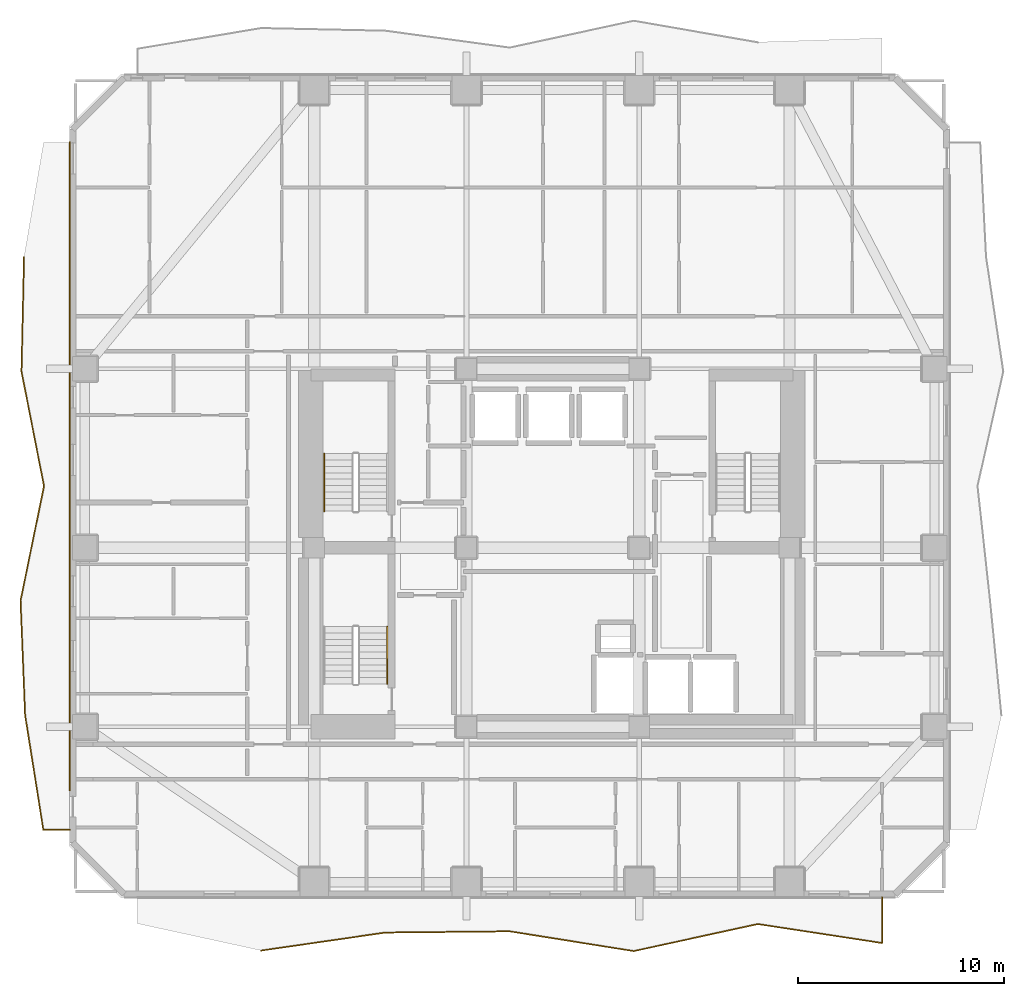
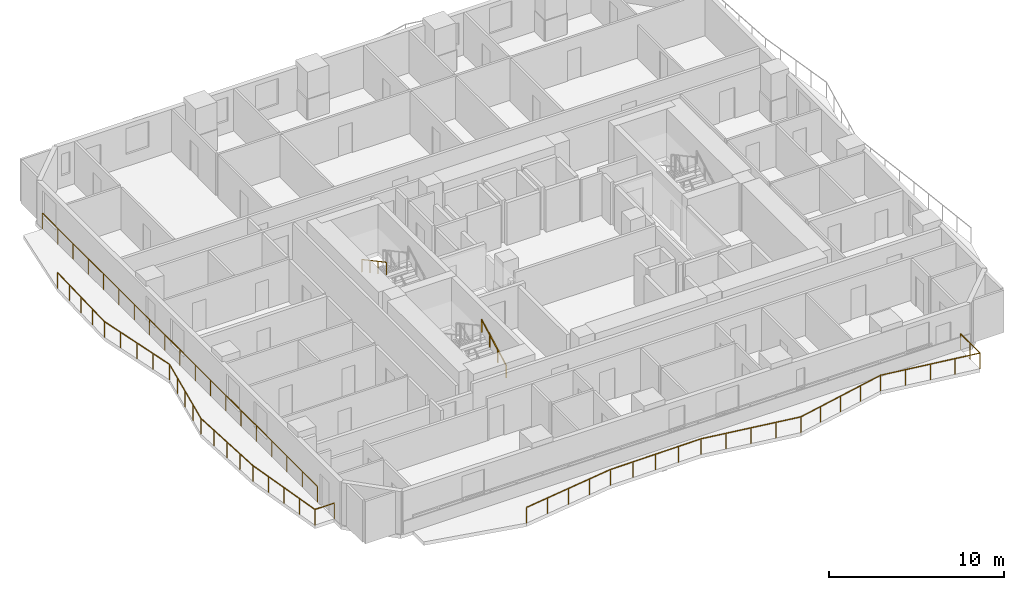
# One storey, part 10 of 12: 5 railings.
"""IFC4 building model written with IfcOpenShell, lengths in metres."""

from ifc_helpers import new_model, si_unit, direction, frame, origin, origin_2d, place, context, subcontext, project, spatial, rectangle, extrude, material, type_object, element, save


model = new_model("IFC4")

# Units and contexts
model_context = context("Model", 3, precision=1e-05, world=origin(), true_north=direction((0.0, 1.0)))
body_context = subcontext(model_context, "Body", "Model", "MODEL_VIEW")
ifc_project = project(units=[si_unit("LENGTHUNIT", "METRE"), si_unit("AREAUNIT", "SQUARE_METRE"), si_unit("VOLUMEUNIT", "CUBIC_METRE"), si_unit("PLANEANGLEUNIT", "RADIAN"), si_unit("MASSUNIT", "GRAM", prefix="KILO")], contexts=[model_context])

# Site, building, storey
site_placement = place(None, origin())
site = spatial("IfcSite", under=ifc_project, at=site_placement, CompositionType="ELEMENT")
building_placement = place(site_placement, origin())
building = spatial("IfcBuilding", under=site, at=building_placement, Name="Solanera Arch Residences", CompositionType="ELEMENT")
storey_placement = place(building_placement, frame((0.0, 0.0, 85.080078125)))
storey = spatial("IfcBuildingStorey", under=building, at=storey_placement, Name="L24", CompositionType="ELEMENT", Elevation=85.080078125)

# Railings
ifc_material_1 = material(Name="Steel S355 (ASTM A992 / A572 Grade 50)", Category="steel")
railing_type_1 = type_object("IfcRailingType", Name="Balustrade Railing BL-1100", PredefinedType="BALUSTRADE", material=ifc_material_1)
railing_1_placement = place(storey_placement, frame((10.8330078125, 11.123046875, 0.0)))
element("IfcRailing", 1, at=railing_1_placement, inside=storey, type_object=railing_type_1, Name="L24 S Balcony Balustrade 1", PredefinedType="BALUSTRADE", context=body_context, shape_type="SweptSolid", body=[
    extrude(rectangle(XDim=0.048095703125, YDim=0.048095703125, at=origin_2d()), frame((0.0, 0.0, 1.09619140625), z_axis=(0.989671305222, 0.143355179959, 0.0), x_axis=(-0.143355179959, 0.989671305222, 0.0)), (0.0, 0.0, 1.0), 6.096923828125),
    extrude(rectangle(XDim=0.048095703125, YDim=0.048095703125, at=origin_2d()), frame((6.033935546875, 0.8740234375, 1.09619140625), z_axis=(0.999950853849, 0.00991412566, 0.0), x_axis=(-0.00991412566, 0.999950853849, 0.0)), (0.0, 0.0, 1.0), 6.033203125),
    extrude(rectangle(XDim=0.048095703125, YDim=0.048095703125, at=origin_2d()), frame((12.06689453125, 0.933837890625, 1.09619140625), z_axis=(0.987576923809, -0.157136308855, 0.0), x_axis=(0.157136308855, 0.987576923809, 0.0)), (0.0, 0.0, 1.0), 6.109130859375),
    extrude(rectangle(XDim=0.048095703125, YDim=0.048095703125, at=origin_2d()), frame((18.10009765625, -0.026123046875, 1.09619140625), z_axis=(0.977059901719, 0.212964664801, 0.0), x_axis=(-0.212964664801, 0.977059901719, 0.0)), (0.0, 0.0, 1.0), 6.175537109375),
    extrude(rectangle(XDim=0.048095703125, YDim=0.048095703125, at=origin_2d()), frame((24.134033203125, 1.2890625, 1.09619140625), z_axis=(0.988471832469, -0.1514048758, 0.0), x_axis=(0.1514048758, 0.988471832469, 0.0)), (0.0, 0.0, 1.0), 6.103271484375),
    extrude(rectangle(XDim=0.048095703125, YDim=0.048095703125, at=origin_2d()), frame((30.1669921875, 0.364990234375, 1.09619140625), z_axis=(0.0, 1.0, 0.0), x_axis=(-1.0, 0.0, 0.0)), (0.0, 0.0, 1.0), 2.23193359375),
    extrude(rectangle(XDim=0.0419921875, YDim=0.0419921875, at=origin_2d()), origin(), (0.0, 0.0, 1.0), 1.072021484375),
    extrude(rectangle(XDim=0.0419921875, YDim=0.0419921875, at=origin_2d()), frame((1.508544921875, 0.218505859375, 0.0)), (0.0, 0.0, 1.0), 1.072021484375),
    extrude(rectangle(XDim=0.0419921875, YDim=0.0419921875, at=origin_2d()), frame((3.01708984375, 0.43701171875, 0.0)), (0.0, 0.0, 1.0), 1.072021484375),
    extrude(rectangle(XDim=0.0419921875, YDim=0.0419921875, at=origin_2d()), frame((4.525390625, 0.655517578125, 0.0)), (0.0, 0.0, 1.0), 1.072021484375),
    extrude(rectangle(XDim=0.0419921875, YDim=0.0419921875, at=origin_2d()), frame((6.033935546875, 0.8740234375, 0.0)), (0.0, 0.0, 1.0), 1.072021484375),
    extrude(rectangle(XDim=0.0419921875, YDim=0.0419921875, at=origin_2d()), frame((7.542236328125, 0.888916015625, 0.0)), (0.0, 0.0, 1.0), 1.072021484375),
    extrude(rectangle(XDim=0.0419921875, YDim=0.0419921875, at=origin_2d()), frame((9.05029296875, 0.90380859375, 0.0)), (0.0, 0.0, 1.0), 1.072021484375),
    extrude(rectangle(XDim=0.0419921875, YDim=0.0419921875, at=origin_2d()), frame((10.55859375, 0.9189453125, 0.0)), (0.0, 0.0, 1.0), 1.072021484375),
    extrude(rectangle(XDim=0.0419921875, YDim=0.0419921875, at=origin_2d()), frame((12.06689453125, 0.933837890625, 0.0)), (0.0, 0.0, 1.0), 1.072021484375),
    extrude(rectangle(XDim=0.0419921875, YDim=0.0419921875, at=origin_2d()), frame((13.5751953125, 0.69384765625, 0.0)), (0.0, 0.0, 1.0), 1.072021484375),
    extrude(rectangle(XDim=0.0419921875, YDim=0.0419921875, at=origin_2d()), frame((15.08349609375, 0.453857421875, 0.0)), (0.0, 0.0, 1.0), 1.072021484375),
    extrude(rectangle(XDim=0.0419921875, YDim=0.0419921875, at=origin_2d()), frame((16.591796875, 0.2138671875, 0.0)), (0.0, 0.0, 1.0), 1.072021484375),
    extrude(rectangle(XDim=0.0419921875, YDim=0.0419921875, at=origin_2d()), frame((18.10009765625, -0.026123046875, 0.0)), (0.0, 0.0, 1.0), 1.072021484375),
    extrude(rectangle(XDim=0.0419921875, YDim=0.0419921875, at=origin_2d()), frame((19.608642578125, 0.302734375, 0.0)), (0.0, 0.0, 1.0), 1.072021484375),
    extrude(rectangle(XDim=0.0419921875, YDim=0.0419921875, at=origin_2d()), frame((21.1171875, 0.63134765625, 0.0)), (0.0, 0.0, 1.0), 1.072021484375),
    extrude(rectangle(XDim=0.0419921875, YDim=0.0419921875, at=origin_2d()), frame((22.62548828125, 0.960205078125, 0.0)), (0.0, 0.0, 1.0), 1.072021484375),
    extrude(rectangle(XDim=0.0419921875, YDim=0.0419921875, at=origin_2d()), frame((24.134033203125, 1.2890625, 0.0)), (0.0, 0.0, 1.0), 1.072021484375),
    extrude(rectangle(XDim=0.0419921875, YDim=0.0419921875, at=origin_2d()), frame((25.642333984375, 1.05810546875, 0.0)), (0.0, 0.0, 1.0), 1.072021484375),
    extrude(rectangle(XDim=0.0419921875, YDim=0.0419921875, at=origin_2d()), frame((27.150390625, 0.8271484375, 0.0)), (0.0, 0.0, 1.0), 1.072021484375),
    extrude(rectangle(XDim=0.0419921875, YDim=0.0419921875, at=origin_2d()), frame((28.65869140625, 0.595947265625, 0.0)), (0.0, 0.0, 1.0), 1.072021484375),
    extrude(rectangle(XDim=0.0419921875, YDim=0.0419921875, at=origin_2d()), frame((30.1669921875, 0.364990234375, 0.0)), (0.0, 0.0, 1.0), 1.072021484375),
    extrude(rectangle(XDim=0.0419921875, YDim=0.0419921875, at=origin_2d()), frame((30.1669921875, 1.48095703125, 0.0)), (0.0, 0.0, 1.0), 1.072021484375),
    extrude(rectangle(XDim=0.0419921875, YDim=0.0419921875, at=origin_2d()), frame((30.1669921875, 2.596923828125, 0.0)), (0.0, 0.0, 1.0), 1.072021484375),
])
railing_2_placement = place(storey_placement, frame((-0.702880859375, 44.8330078125, 0.0)))
element("IfcRailing", 2, at=railing_2_placement, inside=storey, type_object=railing_type_1, Name="L24 W Balcony Balustrade 1", PredefinedType="BALUSTRADE", context=body_context, shape_type="SweptSolid", body=[
    extrude(rectangle(XDim=0.048095703125, YDim=0.048095703125, at=origin_2d()), frame((0.0, 0.0, 1.09619140625), z_axis=(-0.022277126576, -0.999751834023, 0.0), x_axis=(0.999751834023, -0.022277126576, 0.0)), (0.0, 0.0, 1.0), 5.5673828125),
    extrude(rectangle(XDim=0.048095703125, YDim=0.048095703125, at=origin_2d()), frame((-0.1240234375, -5.56591796875, 1.09619140625), z_axis=(0.193152924355, -0.981168664305, 0.0), x_axis=(0.981168664305, 0.193152924355, 0.0)), (0.0, 0.0, 1.0), 5.674072265625),
    extrude(rectangle(XDim=0.048095703125, YDim=0.048095703125, at=origin_2d()), frame((0.971923828125, -11.133056640625, 1.09619140625), z_axis=(-0.200806715962, -0.979630880906, 0.0), x_axis=(0.979630880906, -0.200806715962, 0.0)), (0.0, 0.0, 1.0), 5.6826171875),
    extrude(rectangle(XDim=0.048095703125, YDim=0.048095703125, at=origin_2d()), frame((-0.169189453125, -16.699951171875, 1.09619140625), z_axis=(0.039707245443, -0.99921135635, 0.0), x_axis=(0.99921135635, 0.039707245443, 0.0)), (0.0, 0.0, 1.0), 5.570556640625),
    extrude(rectangle(XDim=0.048095703125, YDim=0.048095703125, at=origin_2d()), frame((0.052001953125, -22.26611328125, 1.09619140625), z_axis=(0.157174570676, -0.987570835096, 0.0), x_axis=(0.987570835096, 0.157174570676, 0.0)), (0.0, 0.0, 1.0), 5.636962890625),
    extrude(rectangle(XDim=0.048095703125, YDim=0.048095703125, at=origin_2d()), frame((0.93798828125, -27.8330078125, 1.09619140625), z_axis=(1.0, 0.0, 0.0), x_axis=(0.0, 1.0, 0.0)), (0.0, 0.0, 1.0), 1.284912109375),
    extrude(rectangle(XDim=0.0419921875, YDim=0.0419921875, at=origin_2d()), origin(), (0.0, 0.0, 1.0), 1.072021484375),
    extrude(rectangle(XDim=0.0419921875, YDim=0.0419921875, at=origin_2d()), frame((-0.031005859375, -1.3916015625, 0.0)), (0.0, 0.0, 1.0), 1.072021484375),
    extrude(rectangle(XDim=0.0419921875, YDim=0.0419921875, at=origin_2d()), frame((-0.06201171875, -2.782958984375, 0.0)), (0.0, 0.0, 1.0), 1.072021484375),
    extrude(rectangle(XDim=0.0419921875, YDim=0.0419921875, at=origin_2d()), frame((-0.093017578125, -4.17431640625, 0.0)), (0.0, 0.0, 1.0), 1.072021484375),
    extrude(rectangle(XDim=0.0419921875, YDim=0.0419921875, at=origin_2d()), frame((-0.1240234375, -5.56591796875, 0.0)), (0.0, 0.0, 1.0), 1.072021484375),
    extrude(rectangle(XDim=0.0419921875, YDim=0.0419921875, at=origin_2d()), frame((0.14990234375, -6.957763671875, 0.0)), (0.0, 0.0, 1.0), 1.072021484375),
    extrude(rectangle(XDim=0.0419921875, YDim=0.0419921875, at=origin_2d()), frame((0.423828125, -8.349609375, 0.0)), (0.0, 0.0, 1.0), 1.072021484375),
    extrude(rectangle(XDim=0.0419921875, YDim=0.0419921875, at=origin_2d()), frame((0.697998046875, -9.7412109375, 0.0)), (0.0, 0.0, 1.0), 1.072021484375),
    extrude(rectangle(XDim=0.0419921875, YDim=0.0419921875, at=origin_2d()), frame((0.971923828125, -11.133056640625, 0.0)), (0.0, 0.0, 1.0), 1.072021484375),
    extrude(rectangle(XDim=0.0419921875, YDim=0.0419921875, at=origin_2d()), frame((0.6865234375, -12.52490234375, 0.0)), (0.0, 0.0, 1.0), 1.072021484375),
    extrude(rectangle(XDim=0.0419921875, YDim=0.0419921875, at=origin_2d()), frame((0.4013671875, -13.91650390625, 0.0)), (0.0, 0.0, 1.0), 1.072021484375),
    extrude(rectangle(XDim=0.0419921875, YDim=0.0419921875, at=origin_2d()), frame((0.1162109375, -15.30810546875, 0.0)), (0.0, 0.0, 1.0), 1.072021484375),
    extrude(rectangle(XDim=0.0419921875, YDim=0.0419921875, at=origin_2d()), frame((-0.169189453125, -16.699951171875, 0.0)), (0.0, 0.0, 1.0), 1.072021484375),
    extrude(rectangle(XDim=0.0419921875, YDim=0.0419921875, at=origin_2d()), frame((-0.11376953125, -18.091552734375, 0.0)), (0.0, 0.0, 1.0), 1.072021484375),
    extrude(rectangle(XDim=0.0419921875, YDim=0.0419921875, at=origin_2d()), frame((-0.05859375, -19.48291015625, 0.0)), (0.0, 0.0, 1.0), 1.072021484375),
    extrude(rectangle(XDim=0.0419921875, YDim=0.0419921875, at=origin_2d()), frame((-0.00341796875, -20.87451171875, 0.0)), (0.0, 0.0, 1.0), 1.072021484375),
    extrude(rectangle(XDim=0.0419921875, YDim=0.0419921875, at=origin_2d()), frame((0.052001953125, -22.26611328125, 0.0)), (0.0, 0.0, 1.0), 1.072021484375),
    extrude(rectangle(XDim=0.0419921875, YDim=0.0419921875, at=origin_2d()), frame((0.2734375, -23.65771484375, 0.0)), (0.0, 0.0, 1.0), 1.072021484375),
    extrude(rectangle(XDim=0.0419921875, YDim=0.0419921875, at=origin_2d()), frame((0.4951171875, -25.049560546875, 0.0)), (0.0, 0.0, 1.0), 1.072021484375),
    extrude(rectangle(XDim=0.0419921875, YDim=0.0419921875, at=origin_2d()), frame((0.716552734375, -26.44140625, 0.0)), (0.0, 0.0, 1.0), 1.072021484375),
    extrude(rectangle(XDim=0.0419921875, YDim=0.0419921875, at=origin_2d()), frame((0.93798828125, -27.8330078125, 0.0)), (0.0, 0.0, 1.0), 1.072021484375),
    extrude(rectangle(XDim=0.0419921875, YDim=0.0419921875, at=origin_2d()), frame((2.222900390625, -27.8330078125, 0.0)), (0.0, 0.0, 1.0), 1.072021484375),
])
railing_3_placement = place(storey_placement, frame((1.52001953125, 18.916015625, 0.0)))
element("IfcRailing", 3, at=railing_3_placement, inside=storey, type_object=railing_type_1, Name="L24 W Balcony Balustrade 2", PredefinedType="BALUSTRADE", context=body_context, shape_type="SweptSolid", body=[
    extrude(rectangle(XDim=0.048095703125, YDim=0.048095703125, at=origin_2d()), frame((0.0, 0.0, 1.09619140625), z_axis=(0.0, 1.0, 0.0), x_axis=(-1.0, 0.0, 0.0)), (0.0, 0.0, 1.0), 31.48388671875),
    extrude(rectangle(XDim=0.0419921875, YDim=0.0419921875, at=origin_2d()), origin(), (0.0, 0.0, 1.0), 1.072021484375),
    extrude(rectangle(XDim=0.0419921875, YDim=0.0419921875, at=origin_2d()), frame((0.0, 1.7490234375, 0.0)), (0.0, 0.0, 1.0), 1.072021484375),
    extrude(rectangle(XDim=0.0419921875, YDim=0.0419921875, at=origin_2d()), frame((0.0, 3.498291015625, 0.0)), (0.0, 0.0, 1.0), 1.072021484375),
    extrude(rectangle(XDim=0.0419921875, YDim=0.0419921875, at=origin_2d()), frame((0.0, 5.247314453125, 0.0)), (0.0, 0.0, 1.0), 1.072021484375),
    extrude(rectangle(XDim=0.0419921875, YDim=0.0419921875, at=origin_2d()), frame((0.0, 6.996337890625, 0.0)), (0.0, 0.0, 1.0), 1.072021484375),
    extrude(rectangle(XDim=0.0419921875, YDim=0.0419921875, at=origin_2d()), frame((0.0, 8.74560546875, 0.0)), (0.0, 0.0, 1.0), 1.072021484375),
    extrude(rectangle(XDim=0.0419921875, YDim=0.0419921875, at=origin_2d()), frame((0.0, 10.49462890625, 0.0)), (0.0, 0.0, 1.0), 1.072021484375),
    extrude(rectangle(XDim=0.0419921875, YDim=0.0419921875, at=origin_2d()), frame((0.0, 12.24365234375, 0.0)), (0.0, 0.0, 1.0), 1.072021484375),
    extrude(rectangle(XDim=0.0419921875, YDim=0.0419921875, at=origin_2d()), frame((0.0, 13.992919921875, 0.0)), (0.0, 0.0, 1.0), 1.072021484375),
    extrude(rectangle(XDim=0.0419921875, YDim=0.0419921875, at=origin_2d()), frame((0.0, 15.741943359375, 0.0)), (0.0, 0.0, 1.0), 1.072021484375),
    extrude(rectangle(XDim=0.0419921875, YDim=0.0419921875, at=origin_2d()), frame((0.0, 17.490966796875, 0.0)), (0.0, 0.0, 1.0), 1.072021484375),
    extrude(rectangle(XDim=0.0419921875, YDim=0.0419921875, at=origin_2d()), frame((0.0, 19.240234375, 0.0)), (0.0, 0.0, 1.0), 1.072021484375),
    extrude(rectangle(XDim=0.0419921875, YDim=0.0419921875, at=origin_2d()), frame((0.0, 20.9892578125, 0.0)), (0.0, 0.0, 1.0), 1.072021484375),
    extrude(rectangle(XDim=0.0419921875, YDim=0.0419921875, at=origin_2d()), frame((0.0, 22.73828125, 0.0)), (0.0, 0.0, 1.0), 1.072021484375),
    extrude(rectangle(XDim=0.0419921875, YDim=0.0419921875, at=origin_2d()), frame((0.0, 24.487548828125, 0.0)), (0.0, 0.0, 1.0), 1.072021484375),
    extrude(rectangle(XDim=0.0419921875, YDim=0.0419921875, at=origin_2d()), frame((0.0, 26.236572265625, 0.0)), (0.0, 0.0, 1.0), 1.072021484375),
    extrude(rectangle(XDim=0.0419921875, YDim=0.0419921875, at=origin_2d()), frame((0.0, 27.985595703125, 0.0)), (0.0, 0.0, 1.0), 1.072021484375),
    extrude(rectangle(XDim=0.0419921875, YDim=0.0419921875, at=origin_2d()), frame((0.0, 29.73486328125, 0.0)), (0.0, 0.0, 1.0), 1.072021484375),
    extrude(rectangle(XDim=0.0419921875, YDim=0.0419921875, at=origin_2d()), frame((0.0, 31.48388671875, 0.0)), (0.0, 0.0, 1.0), 1.072021484375),
])
ifc_material_2 = material(Name="Steel S355 (ASTM A992 / A572 Grade 50)", Category="steel")
railing_type_2 = type_object("IfcRailingType", Name="Stair Wall Handrail HR-920", PredefinedType="HANDRAIL", material=ifc_material_2)
railing_4_placement = place(storey_placement, frame((13.889892578125, 35.27001953125, 1.825927734375)))
element("IfcRailing", 4, at=railing_4_placement, inside=storey, type_object=railing_type_2, Name="L24 ST-T1 stair handrail 2", PredefinedType="HANDRAIL", context=body_context, shape_type="SweptSolid", body=[
    extrude(rectangle(XDim=0.048095703125, YDim=0.048095703125, at=origin_2d()), frame((0.0, 0.0, 0.8759765625), z_axis=(0.0, -0.881580869306, 0.472033018838), x_axis=(1.0, 0.0, 0.0)), (0.0, 0.0, 1.0), 3.164794921875),
    extrude(rectangle(XDim=0.0419921875, YDim=0.0419921875, at=origin_2d()), origin(), (0.0, 0.0, 1.0), 0.851806640625),
    extrude(rectangle(XDim=0.0419921875, YDim=0.0419921875, at=origin_2d()), frame((0.0, -0.929931640625, 0.498046875)), (0.0, 0.0, 1.0), 0.851806640625),
    extrude(rectangle(XDim=0.0419921875, YDim=0.0419921875, at=origin_2d()), frame((0.0, -1.860107421875, 0.995849609375)), (0.0, 0.0, 1.0), 0.851806640625),
    extrude(rectangle(XDim=0.0419921875, YDim=0.0419921875, at=origin_2d()), frame((0.0, -2.7900390625, 1.493896484375)), (0.0, 0.0, 1.0), 0.851806640625),
])
railing_5_placement = place(storey_placement, frame((16.949951171875, 24.080078125, 0.166015625)))
element("IfcRailing", 5, at=railing_5_placement, inside=storey, type_object=railing_type_2, Name="L24 ST-T3 stair handrail 1", PredefinedType="HANDRAIL", context=body_context, shape_type="SweptSolid", body=[
    extrude(rectangle(XDim=0.048095703125, YDim=0.048095703125, at=origin_2d()), frame((0.0, 0.0, 0.8759765625), z_axis=(0.0, 0.881580869306, 0.472033018838), x_axis=(-1.0, 0.0, 0.0)), (0.0, 0.0, 1.0), 3.164794921875),
    extrude(rectangle(XDim=0.0419921875, YDim=0.0419921875, at=origin_2d()), origin(), (0.0, 0.0, 1.0), 0.851806640625),
    extrude(rectangle(XDim=0.0419921875, YDim=0.0419921875, at=origin_2d()), frame((0.0, 0.929931640625, 0.498046875)), (0.0, 0.0, 1.0), 0.851806640625),
    extrude(rectangle(XDim=0.0419921875, YDim=0.0419921875, at=origin_2d()), frame((0.0, 1.860107421875, 0.995849609375)), (0.0, 0.0, 1.0), 0.851806640625),
    extrude(rectangle(XDim=0.0419921875, YDim=0.0419921875, at=origin_2d()), frame((0.0, 2.7900390625, 1.493896484375)), (0.0, 0.0, 1.0), 0.851806640625),
])

save(model, "model.ifc")
